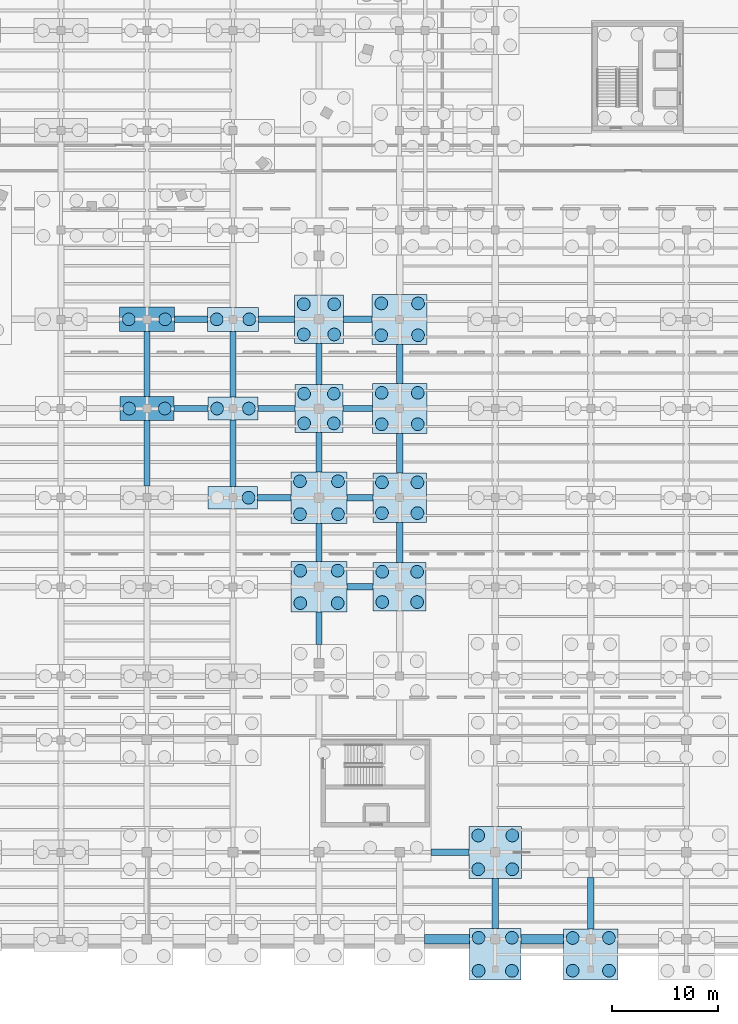
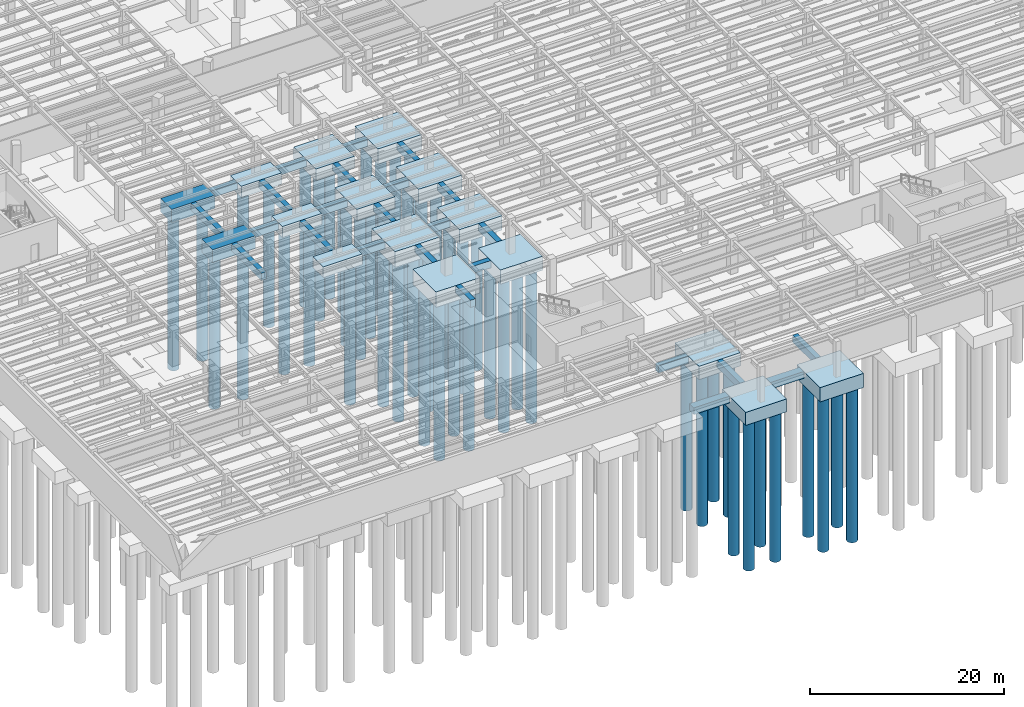
# One storey, part 4 of 49: 53 piles, 41 footings.
"""IFC4 building model written with IfcOpenShell, lengths in metres."""

from ifc_helpers import new_model, si_unit, direction, frame, origin, origin_2d, place, context, subcontext, project, spatial, rectangle, circle, extrude, material, material_profile, profile_set, type_object, element, save


model = new_model("IFC4")

# Units and contexts
model_context = context("Model", 3, precision=1e-05, world=origin(), true_north=direction((0.0, 1.0)))
body_context = subcontext(model_context, "Body", "Model", "MODEL_VIEW")
ifc_project = project(units=[si_unit("LENGTHUNIT", "METRE"), si_unit("AREAUNIT", "SQUARE_METRE"), si_unit("VOLUMEUNIT", "CUBIC_METRE"), si_unit("PLANEANGLEUNIT", "RADIAN"), si_unit("MASSUNIT", "GRAM", prefix="KILO")], contexts=[model_context])

# Site, building, storey
site_placement = place(None, origin())
site = spatial("IfcSite", under=ifc_project, at=site_placement, CompositionType="ELEMENT")
building_placement = place(site_placement, origin())
building = spatial("IfcBuilding", under=site, at=building_placement, Name="Sollismere Congress Hotel", CompositionType="ELEMENT")
storey_placement = place(building_placement, frame((0.0, 0.0, -4.5)))
storey = spatial("IfcBuildingStorey", under=building, at=storey_placement, Name="B1", CompositionType="ELEMENT", Elevation=-4.5)

# Footings
ifc_material = material(Name="Concrete C40/50", Category="concrete")
footing_type_1 = type_object("IfcFootingType", Name="FT-GB600", PredefinedType="FOOTING_BEAM", material=ifc_material)
footing_1_placement = place(storey_placement, frame((62.742431640625, 8.199951171875, -0.89990234375), z_axis=(0.0, 0.0, 1.0), x_axis=(1.0, 0.0, 0.0)))
element("IfcFooting", 1, at=footing_1_placement, inside=storey, type_object=footing_type_1, Name="FTG-GB-014", PredefinedType="FOOTING_BEAM", context=body_context, shape_type="SweptSolid", body=[
    extrude(rectangle(XDim=3.5849609375, YDim=0.60009765625, at=origin_2d()), origin(), (0.0, 0.0, 1.0), 0.89990234375),
])
footing_2_placement = place(storey_placement, frame((54.260009765625, 33.199951171875, -0.89990234375), z_axis=(0.0, 0.0, 1.0), x_axis=(1.0, 0.0, 0.0)))
element("IfcFooting", 2, at=footing_2_placement, inside=storey, type_object=footing_type_1, Name="FTG-GB-055", PredefinedType="FOOTING_BEAM", context=body_context, shape_type="SweptSolid", body=[
    extrude(rectangle(XDim=2.47998046875, YDim=0.60009765625, at=origin_2d()), origin(), (0.0, 0.0, 1.0), 0.89990234375),
])
footing_3_placement = place(storey_placement, frame((46.18994140625, 41.60009765625, -0.89990234375), z_axis=(0.0, 0.0, 1.0), x_axis=(1.0, 0.0, 0.0)))
element("IfcFooting", 3, at=footing_3_placement, inside=storey, type_object=footing_type_1, Name="FTG-GB-071", PredefinedType="FOOTING_BEAM", context=body_context, shape_type="SweptSolid", body=[
    extrude(rectangle(XDim=3.1201171875, YDim=0.60009765625, at=origin_2d()), origin(), (0.0, 0.0, 1.0), 0.89990234375),
])
footing_4_placement = place(storey_placement, frame((54.260009765625, 41.60009765625, -0.89990234375), z_axis=(0.0, 0.0, 1.0), x_axis=(1.0, 0.0, 0.0)))
element("IfcFooting", 4, at=footing_4_placement, inside=storey, type_object=footing_type_1, Name="FTG-GB-072", PredefinedType="FOOTING_BEAM", context=body_context, shape_type="SweptSolid", body=[
    extrude(rectangle(XDim=2.419921875, YDim=0.60009765625, at=origin_2d()), origin(), (0.0, 0.0, 1.0), 0.89990234375),
])
footing_5_placement = place(storey_placement, frame((38.340087890625, 50.0, -0.89990234375), z_axis=(0.0, 0.0, 1.0), x_axis=(1.0, 0.0, 0.0)))
element("IfcFooting", 5, at=footing_5_placement, inside=storey, type_object=footing_type_1, Name="FTG-GB-087", PredefinedType="FOOTING_BEAM", context=body_context, shape_type="SweptSolid", body=[
    extrude(rectangle(XDim=3.199951171875, YDim=0.60009765625, at=origin_2d()), origin(), (0.0, 0.0, 1.0), 0.89990234375),
])
footing_6_placement = place(storey_placement, frame((46.39990234375, 50.0, -0.89990234375), z_axis=(0.0, 0.0, 1.0), x_axis=(1.0, 0.0, 0.0)))
element("IfcFooting", 6, at=footing_6_placement, inside=storey, type_object=footing_type_1, Name="FTG-GB-088", PredefinedType="FOOTING_BEAM", context=body_context, shape_type="SweptSolid", body=[
    extrude(rectangle(XDim=3.47998046875, YDim=0.60009765625, at=origin_2d()), origin(), (0.0, 0.0, 1.0), 0.89990234375),
])
footing_7_placement = place(storey_placement, frame((54.050048828125, 50.0, -0.89990234375), z_axis=(0.0, 0.0, 1.0), x_axis=(1.0, 0.0, 0.0)))
element("IfcFooting", 7, at=footing_7_placement, inside=storey, type_object=footing_type_1, Name="FTG-GB-089", PredefinedType="FOOTING_BEAM", context=body_context, shape_type="SweptSolid", body=[
    extrude(rectangle(XDim=2.780029296875, YDim=0.60009765625, at=origin_2d()), origin(), (0.0, 0.0, 1.0), 0.89990234375),
])
footing_8_placement = place(storey_placement, frame((38.340087890625, 58.39990234375, -0.89990234375), z_axis=(0.0, 0.0, 1.0), x_axis=(1.0, 0.0, 0.0)))
element("IfcFooting", 8, at=footing_8_placement, inside=storey, type_object=footing_type_1, Name="FTG-GB-101", PredefinedType="FOOTING_BEAM", context=body_context, shape_type="SweptSolid", body=[
    extrude(rectangle(XDim=3.139892578125, YDim=0.60009765625, at=origin_2d()), origin(), (0.0, 0.0, 1.0), 0.89990234375),
])
footing_9_placement = place(storey_placement, frame((46.39990234375, 58.39990234375, -0.89990234375), z_axis=(0.0, 0.0, 1.0), x_axis=(1.0, 0.0, 0.0)))
element("IfcFooting", 9, at=footing_9_placement, inside=storey, type_object=footing_type_1, Name="FTG-GB-102", PredefinedType="FOOTING_BEAM", context=body_context, shape_type="SweptSolid", body=[
    extrude(rectangle(XDim=3.419921875, YDim=0.60009765625, at=origin_2d()), origin(), (0.0, 0.0, 1.0), 0.89990234375),
])
footing_10_placement = place(storey_placement, frame((54.050048828125, 58.39990234375, -0.89990234375), z_axis=(0.0, 0.0, 1.0), x_axis=(1.0, 0.0, 0.0)))
element("IfcFooting", 10, at=footing_10_placement, inside=storey, type_object=footing_type_1, Name="FTG-GB-103", PredefinedType="FOOTING_BEAM", context=body_context, shape_type="SweptSolid", body=[
    extrude(rectangle(XDim=2.719970703125, YDim=0.60009765625, at=origin_2d()), origin(), (0.0, 0.0, 1.0), 0.89990234375),
])
footing_11_placement = place(storey_placement, frame((34.199951171875, 45.78759765625, -0.89990234375), z_axis=(0.0, 0.0, 1.0), x_axis=(0.0, 1.0, 0.0)))
element("IfcFooting", 11, at=footing_11_placement, inside=storey, type_object=footing_type_1, Name="FTG-GB-269", PredefinedType="FOOTING_BEAM", context=body_context, shape_type="SweptSolid", body=[
    extrude(rectangle(XDim=6.175048828125, YDim=0.60009765625, at=origin_2d()), origin(), (0.0, 0.0, 1.0), 0.89990234375),
])
footing_12_placement = place(storey_placement, frame((34.199951171875, 54.1875, -0.89990234375), z_axis=(0.0, 0.0, 1.0), x_axis=(0.0, 1.0, 0.0)))
element("IfcFooting", 12, at=footing_12_placement, inside=storey, type_object=footing_type_1, Name="FTG-GB-270", PredefinedType="FOOTING_BEAM", context=body_context, shape_type="SweptSolid", body=[
    extrude(rectangle(XDim=6.125, YDim=0.60009765625, at=origin_2d()), origin(), (0.0, 0.0, 1.0), 0.89990234375),
])
footing_13_placement = place(storey_placement, frame((42.300048828125, 45.78759765625, -0.89990234375), z_axis=(0.0, 0.0, 1.0), x_axis=(0.0, 1.0, 0.0)))
element("IfcFooting", 13, at=footing_13_placement, inside=storey, type_object=footing_type_1, Name="FTG-GB-282", PredefinedType="FOOTING_BEAM", context=body_context, shape_type="SweptSolid", body=[
    extrude(rectangle(XDim=6.22509765625, YDim=0.60009765625, at=origin_2d()), origin(), (0.0, 0.0, 1.0), 0.89990234375),
])
footing_14_placement = place(storey_placement, frame((42.300048828125, 54.1875, -0.89990234375), z_axis=(0.0, 0.0, 1.0), x_axis=(0.0, 1.0, 0.0)))
element("IfcFooting", 14, at=footing_14_placement, inside=storey, type_object=footing_type_1, Name="FTG-GB-283", PredefinedType="FOOTING_BEAM", context=body_context, shape_type="SweptSolid", body=[
    extrude(rectangle(XDim=6.175048828125, YDim=0.60009765625, at=origin_2d()), origin(), (0.0, 0.0, 1.0), 0.89990234375),
])
footing_15_placement = place(storey_placement, frame((50.39990234375, 29.28759765625, -0.89990234375), z_axis=(0.0, 0.0, 1.0), x_axis=(0.0, 1.0, 0.0)))
element("IfcFooting", 15, at=footing_15_placement, inside=storey, type_object=footing_type_1, Name="FTG-GB-292", PredefinedType="FOOTING_BEAM", context=body_context, shape_type="SweptSolid", body=[
    extrude(rectangle(XDim=3.054931640625, YDim=0.60009765625, at=origin_2d()), origin(), (0.0, 0.0, 1.0), 0.89990234375),
])
footing_16_placement = place(storey_placement, frame((50.39990234375, 37.387451171875, -0.89990234375), z_axis=(0.0, 0.0, 1.0), x_axis=(0.0, 1.0, 0.0)))
element("IfcFooting", 16, at=footing_16_placement, inside=storey, type_object=footing_type_1, Name="FTG-GB-293", PredefinedType="FOOTING_BEAM", context=body_context, shape_type="SweptSolid", body=[
    extrude(rectangle(XDim=3.60498046875, YDim=0.60009765625, at=origin_2d()), origin(), (0.0, 0.0, 1.0), 0.89990234375),
])
footing_17_placement = place(storey_placement, frame((50.39990234375, 45.875, -0.89990234375), z_axis=(0.0, 0.0, 1.0), x_axis=(0.0, 1.0, 0.0)))
element("IfcFooting", 17, at=footing_17_placement, inside=storey, type_object=footing_type_1, Name="FTG-GB-294", PredefinedType="FOOTING_BEAM", context=body_context, shape_type="SweptSolid", body=[
    extrude(rectangle(XDim=3.72998046875, YDim=0.60009765625, at=origin_2d()), origin(), (0.0, 0.0, 1.0), 0.89990234375),
])
footing_18_placement = place(storey_placement, frame((50.39990234375, 54.1875, -0.89990234375), z_axis=(0.0, 0.0, 1.0), x_axis=(0.0, 1.0, 0.0)))
element("IfcFooting", 18, at=footing_18_placement, inside=storey, type_object=footing_type_1, Name="FTG-GB-295", PredefinedType="FOOTING_BEAM", context=body_context, shape_type="SweptSolid", body=[
    extrude(rectangle(XDim=3.85498046875, YDim=0.60009765625, at=origin_2d()), origin(), (0.0, 0.0, 1.0), 0.89990234375),
])
footing_19_placement = place(storey_placement, frame((58.0, 37.387451171875, -0.89990234375), z_axis=(0.0, 0.0, 1.0), x_axis=(0.0, 1.0, 0.0)))
element("IfcFooting", 19, at=footing_19_placement, inside=storey, type_object=footing_type_1, Name="FTG-GB-305", PredefinedType="FOOTING_BEAM", context=body_context, shape_type="SweptSolid", body=[
    extrude(rectangle(XDim=3.804931640625, YDim=0.60009765625, at=origin_2d()), origin(), (0.0, 0.0, 1.0), 0.89990234375),
])
footing_20_placement = place(storey_placement, frame((58.0, 45.78759765625, -0.89990234375), z_axis=(0.0, 0.0, 1.0), x_axis=(0.0, 1.0, 0.0)))
element("IfcFooting", 20, at=footing_20_placement, inside=storey, type_object=footing_type_1, Name="FTG-GB-306", PredefinedType="FOOTING_BEAM", context=body_context, shape_type="SweptSolid", body=[
    extrude(rectangle(XDim=3.7548828125, YDim=0.60009765625, at=origin_2d()), origin(), (0.0, 0.0, 1.0), 0.89990234375),
])
footing_21_placement = place(storey_placement, frame((58.0, 54.1875, -0.89990234375), z_axis=(0.0, 0.0, 1.0), x_axis=(0.0, 1.0, 0.0)))
element("IfcFooting", 21, at=footing_21_placement, inside=storey, type_object=footing_type_1, Name="FTG-GB-307", PredefinedType="FOOTING_BEAM", context=body_context, shape_type="SweptSolid", body=[
    extrude(rectangle(XDim=3.705078125, YDim=0.60009765625, at=origin_2d()), origin(), (0.0, 0.0, 1.0), 0.89990234375),
])
footing_22_placement = place(storey_placement, frame((67.0, 3.385009765625, -0.89990234375), z_axis=(0.0, 0.0, 1.0), x_axis=(0.0, 1.0, 0.0)))
element("IfcFooting", 22, at=footing_22_placement, inside=storey, type_object=footing_type_1, Name="FTG-GB-313", PredefinedType="FOOTING_BEAM", context=body_context, shape_type="SweptSolid", body=[
    extrude(rectangle(XDim=4.72998046875, YDim=0.60009765625, at=origin_2d()), origin(), (0.0, 0.0, 1.0), 0.89990234375),
])
footing_23_placement = place(storey_placement, frame((76.0, 3.405029296875, -0.89990234375), z_axis=(0.0, 0.0, 1.0), x_axis=(0.0, 1.0, 0.0)))
element("IfcFooting", 23, at=footing_23_placement, inside=storey, type_object=footing_type_1, Name="FTG-GB-326", PredefinedType="FOOTING_BEAM", context=body_context, shape_type="SweptSolid", body=[
    extrude(rectangle(XDim=4.81005859375, YDim=0.60009765625, at=origin_2d()), origin(), (0.0, 0.0, 1.0), 0.89990234375),
])
footing_type_2 = type_object("IfcFootingType", Name="FT-PC2-02", PredefinedType="PILE_CAP", material=ifc_material)
footing_24_placement = place(storey_placement, frame((42.300048828125, 41.60009765625, -1.33984375), z_axis=(0.0, 0.0, 1.0), x_axis=(1.0, 0.0, 0.0)))
element("IfcFooting", 24, at=footing_24_placement, inside=storey, type_object=footing_type_2, Name="Reinforced concrete pile cap PC-072", PredefinedType="PILE_CAP", context=body_context, shape_type="SweptSolid", body=[
    extrude(rectangle(XDim=4.659912109375, YDim=2.14990234375, at=origin_2d()), origin(), (0.0, 0.0, 1.0), 1.340087890625),
])
footing_type_3 = type_object("IfcFootingType", Name="FT-PC2-03", PredefinedType="PILE_CAP", material=ifc_material)
footing_25_placement = place(storey_placement, frame((42.300048828125, 50.0, -1.3798828125), z_axis=(0.0, 0.0, 1.0), x_axis=(1.0, 0.0, 0.0)))
element("IfcFooting", 25, at=footing_25_placement, inside=storey, type_object=footing_type_3, Name="Reinforced concrete pile cap PC-073", PredefinedType="PILE_CAP", context=body_context, shape_type="SweptSolid", body=[
    extrude(rectangle(XDim=4.719970703125, YDim=2.199951171875, at=origin_2d()), origin(), (0.0, 0.0, 1.0), 1.3798828125),
])
footing_type_4 = type_object("IfcFootingType", Name="FT-PC2-04", PredefinedType="PILE_CAP", material=ifc_material)
footing_26_placement = place(storey_placement, frame((42.300048828125, 58.39990234375, -1.419921875), z_axis=(0.0, 0.0, 1.0), x_axis=(1.0, 0.0, 0.0)))
element("IfcFooting", 26, at=footing_26_placement, inside=storey, type_object=footing_type_4, Name="Reinforced concrete pile cap PC-074", PredefinedType="PILE_CAP", context=body_context, shape_type="SweptSolid", body=[
    extrude(rectangle(XDim=4.780029296875, YDim=2.25, at=origin_2d()), origin(), (0.0, 0.0, 1.0), 1.419921875),
])
footing_type_5 = type_object("IfcFootingType", Name="FT-PC2-09", PredefinedType="PILE_CAP", material=ifc_material)
footing_27_placement = place(storey_placement, frame((34.199951171875, 50.0, -1.6201171875), z_axis=(0.0, 0.0, 1.0), x_axis=(1.0, 0.0, 0.0)))
element("IfcFooting", 27, at=footing_27_placement, inside=storey, type_object=footing_type_5, Name="Reinforced concrete pile cap PC-059", PredefinedType="PILE_CAP", context=body_context, shape_type="SweptSolid", body=[
    extrude(rectangle(XDim=5.080078125, YDim=2.25, at=origin_2d()), origin(), (0.0, 0.0, 1.0), 1.6201171875),
])
footing_type_6 = type_object("IfcFootingType", Name="FT-PC2-10", PredefinedType="PILE_CAP", material=ifc_material)
footing_28_placement = place(storey_placement, frame((34.199951171875, 58.39990234375, -1.66015625), z_axis=(0.0, 0.0, 1.0), x_axis=(1.0, 0.0, 0.0)))
element("IfcFooting", 28, at=footing_28_placement, inside=storey, type_object=footing_type_6, Name="Reinforced concrete pile cap PC-060", PredefinedType="PILE_CAP", context=body_context, shape_type="SweptSolid", body=[
    extrude(rectangle(XDim=5.139892578125, YDim=2.300048828125, at=origin_2d()), origin(), (0.0, 0.0, 1.0), 1.659912109375),
])
footing_type_7 = type_object("IfcFootingType", Name="FT-PC4-01", PredefinedType="PILE_CAP", material=ifc_material)
footing_29_placement = place(storey_placement, frame((50.39990234375, 50.0, -1.4501953125), z_axis=(0.0, 0.0, 1.0), x_axis=(1.0, 0.0, 0.0)))
element("IfcFooting", 29, at=footing_29_placement, inside=storey, type_object=footing_type_7, Name="Reinforced concrete pile cap PC-085", PredefinedType="PILE_CAP", context=body_context, shape_type="SweptSolid", body=[
    extrude(rectangle(XDim=4.52001953125, YDim=4.52001953125, at=origin_2d()), origin(), (0.0, 0.0, 1.0), 1.449951171875),
])
footing_type_8 = type_object("IfcFootingType", Name="FT-PC4-02", PredefinedType="PILE_CAP", material=ifc_material)
footing_30_placement = place(storey_placement, frame((50.39990234375, 58.39990234375, -1.490234375), z_axis=(0.0, 0.0, 1.0), x_axis=(1.0, 0.0, 0.0)))
element("IfcFooting", 30, at=footing_30_placement, inside=storey, type_object=footing_type_8, Name="Reinforced concrete pile cap PC-086", PredefinedType="PILE_CAP", context=body_context, shape_type="SweptSolid", body=[
    extrude(rectangle(XDim=4.580078125, YDim=4.570068359375, at=origin_2d()), origin(), (0.0, 0.0, 1.0), 1.489990234375),
])
footing_type_9 = type_object("IfcFootingType", Name="FT-PC4-09", PredefinedType="PILE_CAP", material=ifc_material)
footing_31_placement = place(storey_placement, frame((58.0, 33.199951171875, -1.77001953125), z_axis=(0.0, 0.0, 1.0), x_axis=(1.0, 0.0, 0.0)))
element("IfcFooting", 31, at=footing_31_placement, inside=storey, type_object=footing_type_9, Name="Reinforced concrete pile cap PC-093", PredefinedType="PILE_CAP", context=body_context, shape_type="SweptSolid", body=[
    extrude(rectangle(XDim=5.0, YDim=4.570068359375, at=origin_2d()), origin(), (0.0, 0.0, 1.0), 1.77001953125),
])
footing_type_10 = type_object("IfcFootingType", Name="FT-PC4-10", PredefinedType="PILE_CAP", material=ifc_material)
footing_32_placement = place(storey_placement, frame((58.0, 41.60009765625, -1.81005859375), z_axis=(0.0, 0.0, 1.0), x_axis=(1.0, 0.0, 0.0)))
element("IfcFooting", 32, at=footing_32_placement, inside=storey, type_object=footing_type_10, Name="Reinforced concrete pile cap PC-094", PredefinedType="PILE_CAP", context=body_context, shape_type="SweptSolid", body=[
    extrude(rectangle(XDim=5.06005859375, YDim=4.6201171875, at=origin_2d()), origin(), (0.0, 0.0, 1.0), 1.81005859375),
])
footing_type_11 = type_object("IfcFootingType", Name="FT-PC4-11", PredefinedType="PILE_CAP", material=ifc_material)
footing_33_placement = place(storey_placement, frame((58.0, 50.0, -1.85009765625), z_axis=(0.0, 0.0, 1.0), x_axis=(1.0, 0.0, 0.0)))
element("IfcFooting", 33, at=footing_33_placement, inside=storey, type_object=footing_type_11, Name="Reinforced concrete pile cap PC-095", PredefinedType="PILE_CAP", context=body_context, shape_type="SweptSolid", body=[
    extrude(rectangle(XDim=5.1201171875, YDim=4.669921875, at=origin_2d()), origin(), (0.0, 0.0, 1.0), 1.85009765625),
])
footing_type_12 = type_object("IfcFootingType", Name="FT-PC4-12", PredefinedType="PILE_CAP", material=ifc_material)
footing_34_placement = place(storey_placement, frame((58.0, 58.39990234375, -1.89013671875), z_axis=(0.0, 0.0, 1.0), x_axis=(1.0, 0.0, 0.0)))
element("IfcFooting", 34, at=footing_34_placement, inside=storey, type_object=footing_type_12, Name="Reinforced concrete pile cap PC-096", PredefinedType="PILE_CAP", context=body_context, shape_type="SweptSolid", body=[
    extrude(rectangle(XDim=5.179931640625, YDim=4.719970703125, at=origin_2d()), origin(), (0.0, 0.0, 1.0), 1.889892578125),
])
footing_type_13 = type_object("IfcFootingType", Name="FT-PC4-13", PredefinedType="PILE_CAP", material=ifc_material)
footing_35_placement = place(storey_placement, frame((50.39990234375, 33.199951171875, -1.93017578125), z_axis=(0.0, 0.0, 1.0), x_axis=(1.0, 0.0, 0.0)))
element("IfcFooting", 35, at=footing_35_placement, inside=storey, type_object=footing_type_13, Name="Reinforced concrete pile cap PC-083", PredefinedType="PILE_CAP", context=body_context, shape_type="SweptSolid", body=[
    extrude(rectangle(XDim=5.239990234375, YDim=4.77001953125, at=origin_2d()), origin(), (0.0, 0.0, 1.0), 1.929931640625),
])
footing_type_14 = type_object("IfcFootingType", Name="FT-PC4-14", PredefinedType="PILE_CAP", material=ifc_material)
footing_36_placement = place(storey_placement, frame((50.39990234375, 41.60009765625, -1.97021484375), z_axis=(0.0, 0.0, 1.0), x_axis=(1.0, 0.0, 0.0)))
element("IfcFooting", 36, at=footing_36_placement, inside=storey, type_object=footing_type_14, Name="Reinforced concrete pile cap PC-084", PredefinedType="PILE_CAP", context=body_context, shape_type="SweptSolid", body=[
    extrude(rectangle(XDim=5.300048828125, YDim=4.820068359375, at=origin_2d()), origin(), (0.0, 0.0, 1.0), 1.969970703125),
])
footing_type_15 = type_object("IfcFootingType", Name="FT-PC4H-03", PredefinedType="PILE_CAP", material=ifc_material)
footing_37_placement = place(storey_placement, frame((67.0, -1.39990234375, -1.6298828125), z_axis=(0.0, 0.0, 1.0), x_axis=(1.0, 0.0, 0.0)))
element("IfcFooting", 37, at=footing_37_placement, inside=storey, type_object=footing_type_15, Name="Reinforced concrete pile cap PC-103", PredefinedType="PILE_CAP", context=body_context, shape_type="SweptSolid", body=[
    extrude(rectangle(XDim=4.860107421875, YDim=4.840087890625, at=origin_2d()), origin(), (0.0, 0.0, 1.0), 1.6298828125),
])
footing_type_16 = type_object("IfcFootingType", Name="FT-PC4H-04", PredefinedType="PILE_CAP", material=ifc_material)
footing_38_placement = place(storey_placement, frame((67.0, 8.199951171875, -1.669921875), z_axis=(0.0, 0.0, 1.0), x_axis=(1.0, 0.0, 0.0)))
element("IfcFooting", 38, at=footing_38_placement, inside=storey, type_object=footing_type_16, Name="Reinforced concrete pile cap PC-104", PredefinedType="PILE_CAP", context=body_context, shape_type="SweptSolid", body=[
    extrude(rectangle(XDim=4.929931640625, YDim=4.89990234375, at=origin_2d()), origin(), (0.0, 0.0, 1.0), 1.669921875),
])
footing_type_17 = type_object("IfcFootingType", Name="FT-PCM-117", PredefinedType="PILE_CAP", material=ifc_material)
footing_39_placement = place(storey_placement, frame((76.0, -1.39990234375, -1.7900390625), z_axis=(0.0, 0.0, 1.0), x_axis=(1.0, 0.0, 0.0)))
element("IfcFooting", 39, at=footing_39_placement, inside=storey, type_object=footing_type_17, Name="Reinforced concrete pile cap PC-117", PredefinedType="PILE_CAP", context=body_context, shape_type="SweptSolid", body=[
    extrude(rectangle(XDim=5.139892578125, YDim=4.800048828125, at=origin_2d()), origin(), (0.0, 0.0, 1.0), 1.7900390625),
])
footing_type_18 = type_object("IfcFootingType", Name="FT-SF900", PredefinedType="STRIP_FOOTING", material=ifc_material)
footing_40_placement = place(storey_placement, frame((62.465087890625, 0.0, -0.85009765625), z_axis=(0.0, 0.0, 1.0), x_axis=(1.0, 0.0, 0.0)))
element("IfcFooting", 40, at=footing_40_placement, inside=storey, type_object=footing_type_18, Name="FTG-SF-008", PredefinedType="STRIP_FOOTING", context=body_context, shape_type="SweptSolid", body=[
    extrude(rectangle(XDim=4.2099609375, YDim=0.89990234375, at=origin_2d()), origin(), (0.0, 0.0, 1.0), 0.85009765625),
])
footing_41_placement = place(storey_placement, frame((71.429931640625, 0.0, -0.85009765625), z_axis=(0.0, 0.0, 1.0), x_axis=(1.0, 0.0, 0.0)))
element("IfcFooting", 41, at=footing_41_placement, inside=storey, type_object=footing_type_18, Name="FTG-SF-009", PredefinedType="STRIP_FOOTING", context=body_context, shape_type="SweptSolid", body=[
    extrude(rectangle(XDim=4.0, YDim=0.89990234375, at=origin_2d()), origin(), (0.0, 0.0, 1.0), 0.85009765625),
])

# Piles
ifc_material_profile = material_profile(ifc_material, circle(Radius=0.60009765625, at=origin_2d()), Name="CAISSON1200")
ifc_profile_set = profile_set([ifc_material_profile], Name="Concrete C40/50")
pile_type = type_object("IfcPileType", Name="PL-CS1200", PredefinedType="BORED", material=ifc_profile_set)
for number, where, z_axis, x_axis, name in (
    (42, (32.52001953125, 50.0, -1.52001953125), (0.0, 0.0, -1.0), (1.0, 0.0, 0.0), "Bored rock-socketed caisson PL-173"),
    (43, (35.8798828125, 50.0, -1.52001953125), (0.0, 0.0, -1.0), (1.0, 0.0, 0.0), "Bored rock-socketed caisson PL-174"),
):
    element("IfcPile", number, at=place(storey_placement, frame(where, z_axis=z_axis, x_axis=x_axis)), inside=storey, type_object=pile_type, Name=name, PredefinedType="BORED", context=body_context, shape_type="SweptSolid", body=[
        extrude(circle(Radius=0.60009765625, at=origin_2d()), origin(), (0.0, 0.0, 1.0), 19.10009765625),
    ])
for number, where, z_axis, x_axis, name in (
    (44, (32.489990234375, 58.39990234375, -1.56005859375), (0.0, 0.0, -1.0), (1.0, 0.0, 0.0), "Bored rock-socketed caisson PL-175"),
    (45, (35.909912109375, 58.39990234375, -1.56005859375), (0.0, 0.0, -1.0), (1.0, 0.0, 0.0), "Bored rock-socketed caisson PL-176"),
):
    element("IfcPile", number, at=place(storey_placement, frame(where, z_axis=z_axis, x_axis=x_axis)), inside=storey, type_object=pile_type, Name=name, PredefinedType="BORED", context=body_context, shape_type="SweptSolid", body=[
        extrude(circle(Radius=0.60009765625, at=origin_2d()), origin(), (0.0, 0.0, 1.0), 19.300048828125),
    ])
pile_placement = place(storey_placement, frame((43.77001953125, 41.60009765625, -1.239990234375), z_axis=(0.0, 0.0, -1.0), x_axis=(1.0, 0.0, 0.0)))
element("IfcPile", 46, at=pile_placement, inside=storey, type_object=pile_type, Name="Bored rock-socketed caisson PL-204", PredefinedType="BORED", context=body_context, shape_type="SweptSolid", body=[
    extrude(circle(Radius=0.60009765625, at=origin_2d()), origin(), (0.0, 0.0, 1.0), 17.699951171875),
])
for number, where, z_axis, x_axis, name in (
    (47, (40.800048828125, 50.0, -1.280029296875), (0.0, 0.0, -1.0), (1.0, 0.0, 0.0), "Bored rock-socketed caisson PL-205"),
    (48, (43.800048828125, 50.0, -1.280029296875), (0.0, 0.0, -1.0), (1.0, 0.0, 0.0), "Bored rock-socketed caisson PL-206"),
):
    element("IfcPile", number, at=place(storey_placement, frame(where, z_axis=z_axis, x_axis=x_axis)), inside=storey, type_object=pile_type, Name=name, PredefinedType="BORED", context=body_context, shape_type="SweptSolid", body=[
        extrude(circle(Radius=0.60009765625, at=origin_2d()), origin(), (0.0, 0.0, 1.0), 17.89990234375),
    ])
for number, where, z_axis, x_axis, name in (
    (49, (40.77001953125, 58.39990234375, -1.320068359375), (0.0, 0.0, -1.0), (1.0, 0.0, 0.0), "Bored rock-socketed caisson PL-207"),
    (50, (43.830078125, 58.39990234375, -1.320068359375), (0.0, 0.0, -1.0), (1.0, 0.0, 0.0), "Bored rock-socketed caisson PL-208"),
):
    element("IfcPile", number, at=place(storey_placement, frame(where, z_axis=z_axis, x_axis=x_axis)), inside=storey, type_object=pile_type, Name=name, PredefinedType="BORED", context=body_context, shape_type="SweptSolid", body=[
        extrude(circle(Radius=0.60009765625, at=origin_2d()), origin(), (0.0, 0.0, 1.0), 18.10009765625),
    ])
for number, where, z_axis, x_axis, name in (
    (51, (48.639892578125, 31.675048828125, -1.830078125), (0.0, 0.0, -1.0), (1.0, 0.0, 0.0), "Bored rock-socketed caisson PL-233"),
    (52, (52.159912109375, 31.675048828125, -1.830078125), (0.0, 0.0, -1.0), (1.0, 0.0, 0.0), "Bored rock-socketed caisson PL-234"),
    (53, (48.639892578125, 34.72509765625, -1.830078125), (0.0, 0.0, -1.0), (1.0, 0.0, 0.0), "Bored rock-socketed caisson PL-235"),
    (54, (52.159912109375, 34.72509765625, -1.830078125), (0.0, 0.0, -1.0), (1.0, 0.0, 0.0), "Bored rock-socketed caisson PL-236"),
):
    element("IfcPile", number, at=place(storey_placement, frame(where, z_axis=z_axis, x_axis=x_axis)), inside=storey, type_object=pile_type, Name=name, PredefinedType="BORED", context=body_context, shape_type="SweptSolid", body=[
        extrude(circle(Radius=0.60009765625, at=origin_2d()), origin(), (0.0, 0.0, 1.0), 19.800048828125),
    ])
for number, where, z_axis, x_axis, name in (
    (55, (48.610107421875, 40.050048828125, -1.8701171875), (0.0, 0.0, -1.0), (1.0, 0.0, 0.0), "Bored rock-socketed caisson PL-237"),
    (56, (52.18994140625, 40.050048828125, -1.8701171875), (0.0, 0.0, -1.0), (1.0, 0.0, 0.0), "Bored rock-socketed caisson PL-238"),
    (57, (48.610107421875, 43.14990234375, -1.8701171875), (0.0, 0.0, -1.0), (1.0, 0.0, 0.0), "Bored rock-socketed caisson PL-239"),
    (58, (52.18994140625, 43.14990234375, -1.8701171875), (0.0, 0.0, -1.0), (1.0, 0.0, 0.0), "Bored rock-socketed caisson PL-240"),
):
    element("IfcPile", number, at=place(storey_placement, frame(where, z_axis=z_axis, x_axis=x_axis)), inside=storey, type_object=pile_type, Name=name, PredefinedType="BORED", context=body_context, shape_type="SweptSolid", body=[
        extrude(circle(Radius=0.60009765625, at=origin_2d()), origin(), (0.0, 0.0, 1.0), 19.949951171875),
    ])
for number, where, z_axis, x_axis, name in (
    (59, (49.0, 48.60009765625, -1.35009765625), (0.0, 0.0, -1.0), (1.0, 0.0, 0.0), "Bored rock-socketed caisson PL-241"),
    (60, (51.800048828125, 48.60009765625, -1.35009765625), (0.0, 0.0, -1.0), (1.0, 0.0, 0.0), "Bored rock-socketed caisson PL-242"),
    (61, (49.0, 51.39990234375, -1.35009765625), (0.0, 0.0, -1.0), (1.0, 0.0, 0.0), "Bored rock-socketed caisson PL-243"),
    (62, (51.800048828125, 51.39990234375, -1.35009765625), (0.0, 0.0, -1.0), (1.0, 0.0, 0.0), "Bored rock-socketed caisson PL-244"),
):
    element("IfcPile", number, at=place(storey_placement, frame(where, z_axis=z_axis, x_axis=x_axis)), inside=storey, type_object=pile_type, Name=name, PredefinedType="BORED", context=body_context, shape_type="SweptSolid", body=[
        extrude(circle(Radius=0.60009765625, at=origin_2d()), origin(), (0.0, 0.0, 1.0), 18.0),
    ])
for number, where, z_axis, x_axis, name in (
    (63, (48.969970703125, 56.97509765625, -1.389892578125), (0.0, 0.0, -1.0), (1.0, 0.0, 0.0), "Bored rock-socketed caisson PL-245"),
    (64, (51.830078125, 56.97509765625, -1.389892578125), (0.0, 0.0, -1.0), (1.0, 0.0, 0.0), "Bored rock-socketed caisson PL-246"),
    (65, (48.969970703125, 59.824951171875, -1.389892578125), (0.0, 0.0, -1.0), (1.0, 0.0, 0.0), "Bored rock-socketed caisson PL-247"),
    (66, (51.830078125, 59.824951171875, -1.389892578125), (0.0, 0.0, -1.0), (1.0, 0.0, 0.0), "Bored rock-socketed caisson PL-248"),
):
    element("IfcPile", number, at=place(storey_placement, frame(where, z_axis=z_axis, x_axis=x_axis)), inside=storey, type_object=pile_type, Name=name, PredefinedType="BORED", context=body_context, shape_type="SweptSolid", body=[
        extrude(circle(Radius=0.60009765625, at=origin_2d()), origin(), (0.0, 0.0, 1.0), 18.14990234375),
    ])
for number, where, z_axis, x_axis, name in (
    (67, (56.360107421875, 31.77490234375, -1.669921875), (0.0, 0.0, -1.0), (1.0, 0.0, 0.0), "Bored rock-socketed caisson PL-267"),
    (68, (59.639892578125, 31.77490234375, -1.669921875), (0.0, 0.0, -1.0), (1.0, 0.0, 0.0), "Bored rock-socketed caisson PL-268"),
    (69, (56.360107421875, 34.625, -1.669921875), (0.0, 0.0, -1.0), (1.0, 0.0, 0.0), "Bored rock-socketed caisson PL-269"),
    (70, (59.639892578125, 34.625, -1.669921875), (0.0, 0.0, -1.0), (1.0, 0.0, 0.0), "Bored rock-socketed caisson PL-270"),
):
    element("IfcPile", number, at=place(storey_placement, frame(where, z_axis=z_axis, x_axis=x_axis)), inside=storey, type_object=pile_type, Name=name, PredefinedType="BORED", context=body_context, shape_type="SweptSolid", body=[
        extrude(circle(Radius=0.60009765625, at=origin_2d()), origin(), (0.0, 0.0, 1.0), 19.199951171875),
    ])
for number, where, z_axis, x_axis, name in (
    (71, (56.330078125, 40.14990234375, -1.7099609375), (0.0, 0.0, -1.0), (1.0, 0.0, 0.0), "Bored rock-socketed caisson PL-271"),
    (72, (59.669921875, 40.14990234375, -1.7099609375), (0.0, 0.0, -1.0), (1.0, 0.0, 0.0), "Bored rock-socketed caisson PL-272"),
    (73, (56.330078125, 43.050048828125, -1.7099609375), (0.0, 0.0, -1.0), (1.0, 0.0, 0.0), "Bored rock-socketed caisson PL-273"),
    (74, (59.669921875, 43.050048828125, -1.7099609375), (0.0, 0.0, -1.0), (1.0, 0.0, 0.0), "Bored rock-socketed caisson PL-274"),
):
    element("IfcPile", number, at=place(storey_placement, frame(where, z_axis=z_axis, x_axis=x_axis)), inside=storey, type_object=pile_type, Name=name, PredefinedType="BORED", context=body_context, shape_type="SweptSolid", body=[
        extrude(circle(Radius=0.60009765625, at=origin_2d()), origin(), (0.0, 0.0, 1.0), 19.35009765625),
    ])
for number, where, z_axis, x_axis, name in (
    (75, (56.300048828125, 48.52490234375, -1.75), (0.0, 0.0, -1.0), (1.0, 0.0, 0.0), "Bored rock-socketed caisson PL-275"),
    (76, (59.699951171875, 48.52490234375, -1.75), (0.0, 0.0, -1.0), (1.0, 0.0, 0.0), "Bored rock-socketed caisson PL-276"),
    (77, (56.300048828125, 51.47509765625, -1.75), (0.0, 0.0, -1.0), (1.0, 0.0, 0.0), "Bored rock-socketed caisson PL-277"),
    (78, (59.699951171875, 51.47509765625, -1.75), (0.0, 0.0, -1.0), (1.0, 0.0, 0.0), "Bored rock-socketed caisson PL-278"),
):
    element("IfcPile", number, at=place(storey_placement, frame(where, z_axis=z_axis, x_axis=x_axis)), inside=storey, type_object=pile_type, Name=name, PredefinedType="BORED", context=body_context, shape_type="SweptSolid", body=[
        extrude(circle(Radius=0.60009765625, at=origin_2d()), origin(), (0.0, 0.0, 1.0), 19.5),
    ])
for number, where, z_axis, x_axis, name in (
    (79, (56.27001953125, 56.89990234375, -1.7900390625), (0.0, 0.0, -1.0), (1.0, 0.0, 0.0), "Bored rock-socketed caisson PL-279"),
    (80, (59.72998046875, 56.89990234375, -1.7900390625), (0.0, 0.0, -1.0), (1.0, 0.0, 0.0), "Bored rock-socketed caisson PL-280"),
    (81, (56.27001953125, 59.89990234375, -1.7900390625), (0.0, 0.0, -1.0), (1.0, 0.0, 0.0), "Bored rock-socketed caisson PL-281"),
    (82, (59.72998046875, 59.89990234375, -1.7900390625), (0.0, 0.0, -1.0), (1.0, 0.0, 0.0), "Bored rock-socketed caisson PL-282"),
):
    element("IfcPile", number, at=place(storey_placement, frame(where, z_axis=z_axis, x_axis=x_axis)), inside=storey, type_object=pile_type, Name=name, PredefinedType="BORED", context=body_context, shape_type="SweptSolid", body=[
        extrude(circle(Radius=0.60009765625, at=origin_2d()), origin(), (0.0, 0.0, 1.0), 19.64990234375),
    ])
for number, where, z_axis, x_axis, name in (
    (83, (65.429931640625, -2.9599609375, -1.530029296875), (0.0, 0.0, -1.0), (1.0, 0.0, 0.0), "Bored rock-socketed caisson PL-315"),
    (84, (68.570068359375, -2.9599609375, -1.530029296875), (0.0, 0.0, -1.0), (1.0, 0.0, 0.0), "Bored rock-socketed caisson PL-316"),
    (85, (65.429931640625, 0.159912109375, -1.530029296875), (0.0, 0.0, -1.0), (1.0, 0.0, 0.0), "Bored rock-socketed caisson PL-317"),
    (86, (68.570068359375, 0.159912109375, -1.530029296875), (0.0, 0.0, -1.0), (1.0, 0.0, 0.0), "Bored rock-socketed caisson PL-318"),
):
    element("IfcPile", number, at=place(storey_placement, frame(where, z_axis=z_axis, x_axis=x_axis)), inside=storey, type_object=pile_type, Name=name, PredefinedType="BORED", context=body_context, shape_type="SweptSolid", body=[
        extrude(circle(Radius=0.60009765625, at=origin_2d()), origin(), (0.0, 0.0, 1.0), 18.800048828125),
    ])
for number, where, z_axis, x_axis, name in (
    (87, (65.39501953125, 6.610107421875, -1.570068359375), (0.0, 0.0, -1.0), (1.0, 0.0, 0.0), "Bored rock-socketed caisson PL-319"),
    (88, (68.60498046875, 6.610107421875, -1.570068359375), (0.0, 0.0, -1.0), (1.0, 0.0, 0.0), "Bored rock-socketed caisson PL-320"),
    (89, (65.39501953125, 9.7900390625, -1.570068359375), (0.0, 0.0, -1.0), (1.0, 0.0, 0.0), "Bored rock-socketed caisson PL-321"),
    (90, (68.60498046875, 9.7900390625, -1.570068359375), (0.0, 0.0, -1.0), (1.0, 0.0, 0.0), "Bored rock-socketed caisson PL-322"),
):
    element("IfcPile", number, at=place(storey_placement, frame(where, z_axis=z_axis, x_axis=x_axis)), inside=storey, type_object=pile_type, Name=name, PredefinedType="BORED", context=body_context, shape_type="SweptSolid", body=[
        extrude(circle(Radius=0.60009765625, at=origin_2d()), origin(), (0.0, 0.0, 1.0), 18.949951171875),
    ])
for number, where, z_axis, x_axis, name in (
    (91, (74.2900390625, -2.93994140625, -1.68994140625), (0.0, 0.0, -1.0), (1.0, 0.0, 0.0), "Bored rock-socketed caisson PL-361"),
    (92, (77.7099609375, -2.93994140625, -1.68994140625), (0.0, 0.0, -1.0), (1.0, 0.0, 0.0), "Bored rock-socketed caisson PL-362"),
    (93, (74.2900390625, 0.139892578125, -1.68994140625), (0.0, 0.0, -1.0), (1.0, 0.0, 0.0), "Bored rock-socketed caisson PL-363"),
    (94, (77.7099609375, 0.139892578125, -1.68994140625), (0.0, 0.0, -1.0), (1.0, 0.0, 0.0), "Bored rock-socketed caisson PL-364"),
):
    element("IfcPile", number, at=place(storey_placement, frame(where, z_axis=z_axis, x_axis=x_axis)), inside=storey, type_object=pile_type, Name=name, PredefinedType="BORED", context=body_context, shape_type="SweptSolid", body=[
        extrude(circle(Radius=0.60009765625, at=origin_2d()), origin(), (0.0, 0.0, 1.0), 19.39990234375),
    ])

save(model, "model.ifc")
